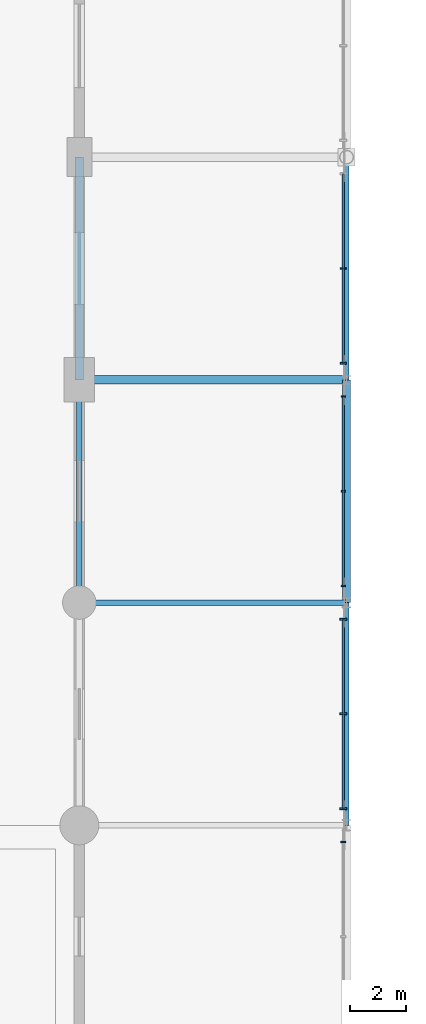
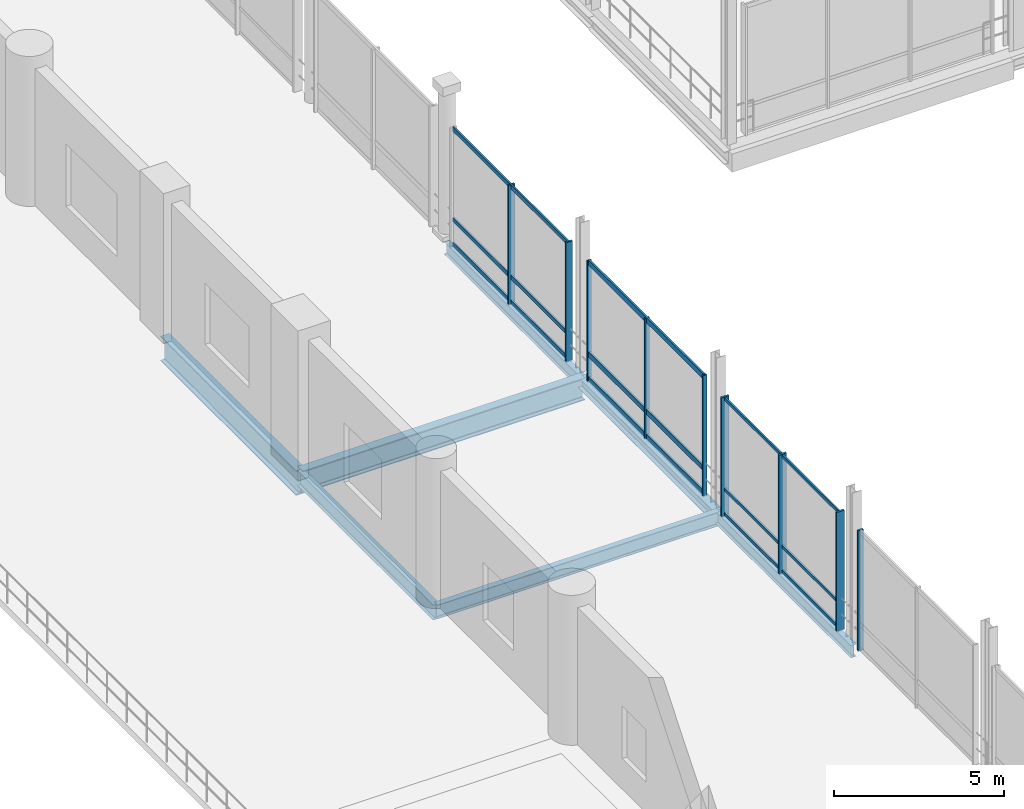
# One storey, part 49 of 129: 18 members, 7 beams, 4 elements without a shape of their own.
"""IFC4 building model written with IfcOpenShell, lengths in metres."""

import ifcopenshell
import ifcopenshell.guid

model = None  # the IFC model being written
_history = None  # IfcOwnerHistory: only IFC2X3 demands one
_inside = {}  # id of a spatial element -> (the spatial element, [elements in it])
_under = {}  # id of a project, library or spatial element -> (it, [spatial elements below it])
_declared = {}  # id of a project -> (the project, [libraries it declares])
_typed = {}  # id of a type object -> (the type object, [elements of that type])
_made_of = {}  # id of a material, layer set ... -> (it, [elements and type objects made of it])


def new_model(schema):
    """Start an empty IFC model of exactly this schema.

    Asked for "IFC4X3", IfcOpenShell would pick the latest addendum, in which some entities
    have other attributes; the version numbers below select the first issue.
    IFC2X3 requires an IfcOwnerHistory on every rooted entity: one is made here for all.
    """
    global model, _history
    if schema == "IFC4X3":
        model = ifcopenshell.file(schema_version=(4, 3, 0, 0))
    else:
        model = ifcopenshell.file(schema=schema)
    _inside.clear()
    _under.clear()
    _declared.clear()
    _typed.clear()
    _made_of.clear()
    _history = None
    if model.schema == "IFC2X3":
        org = make("IfcOrganization", Name="unknown")
        user = make(
            "IfcPersonAndOrganization",
            ThePerson=make("IfcPerson", FamilyName="unknown"),
            TheOrganization=org,
        )
        app = make(
            "IfcApplication",
            ApplicationDeveloper=org,
            Version="unknown",
            ApplicationFullName="unknown",
            ApplicationIdentifier="unknown",
        )
        _history = make(
            "IfcOwnerHistory",
            OwningUser=user,
            OwningApplication=app,
            ChangeAction="ADDED",
            CreationDate=0,
        )
    return model


def make(cls, **values):
    """One entity of the class cls with the attributes given. An attribute that is None is left unset."""
    return model.create_entity(
        cls, **{name: value for name, value in values.items() if value is not None}
    )


def rooted(cls, **values):
    """An entity with a GlobalId (a new one), such as an element, a storey or a relation."""
    return make(cls, GlobalId=ifcopenshell.guid.new(), OwnerHistory=_history, **values)


def si_unit(unit_type, name, prefix=None):
    """IfcSIUnit, for example si_unit("LENGTHUNIT", "METRE", prefix="MILLI")."""
    return make("IfcSIUnit", UnitType=unit_type, Prefix=prefix, Name=name)


def assignment(units):
    """IfcUnitAssignment: the units of a project."""
    return None if units is None else make("IfcUnitAssignment", Units=units)


def point(xyz):
    """IfcCartesianPoint."""
    return None if xyz is None else make("IfcCartesianPoint", Coordinates=xyz)


def direction(xyz):
    """IfcDirection."""
    return None if xyz is None else make("IfcDirection", DirectionRatios=xyz)


def frame(location, z_axis=None, x_axis=None):
    """IfcAxis2Placement3D, a coordinate frame: its origin and axes. An axis left out is left unset."""
    return make(
        "IfcAxis2Placement3D",
        Location=point(location),
        Axis=direction(z_axis),
        RefDirection=direction(x_axis),
    )


def frame_2d(location, x_axis=None):
    """IfcAxis2Placement2D, a coordinate frame in the plane: its origin and x axis."""
    return make(
        "IfcAxis2Placement2D", Location=point(location), RefDirection=direction(x_axis)
    )


def origin():
    """The frame at (0, 0, 0) with its axes left unset."""
    return frame((0.0, 0.0, 0.0))


def origin_2d():
    """The frame at (0, 0) in the plane with its x axis left unset."""
    return frame_2d((0.0, 0.0))


def place(relative_to, where):
    """IfcLocalPlacement: puts the frame where relative to a parent placement (None: the world)."""
    return make(
        "IfcLocalPlacement", PlacementRelTo=relative_to, RelativePlacement=where
    )


def context(
    kind, dimensions, precision=None, world=None, true_north=None, identifier=None
):
    """IfcGeometricRepresentationContext, for example the 3D "Model" context."""
    return make(
        "IfcGeometricRepresentationContext",
        ContextIdentifier=identifier,
        ContextType=kind,
        CoordinateSpaceDimension=dimensions,
        Precision=precision,
        WorldCoordinateSystem=world,
        TrueNorth=true_north,
    )


def subcontext(parent, identifier, kind, view, scale=None):
    """IfcGeometricRepresentationSubContext, for example "Body" below "Model"."""
    return make(
        "IfcGeometricRepresentationSubContext",
        ContextIdentifier=identifier,
        ContextType=kind,
        ParentContext=parent,
        TargetScale=scale,
        TargetView=view,
    )


def project(units=None, contexts=None):
    """IfcProject with its units and contexts."""
    return rooted(
        "IfcProject",
        Name="project",
        RepresentationContexts=contexts,
        UnitsInContext=assignment(units),
    )


def spatial(cls, under=None, at=None, **own):
    """A site, building, storey or space (cls), placed at a placement, below another one or the project."""
    s = rooted(cls, ObjectPlacement=at, **own)
    if under is not None:
        _under.setdefault(under.id(), (under, []))[1].append(s)
    return s


def profile(cls, at=None, kind="AREA", **sizes):
    """A parametric profile (cls). Its sizes go by their IFC names, for example OverallWidth=200.0."""
    return make(cls, ProfileType=kind, Position=at, **sizes)


def rectangle(**sizes):
    """IfcRectangleProfileDef."""
    return profile("IfcRectangleProfileDef", **sizes)


def i_section(**sizes):
    """IfcIShapeProfileDef."""
    return profile("IfcIShapeProfileDef", **sizes)


def extrude(swept, where, along, depth):
    """IfcExtrudedAreaSolid: the profile swept, set in the frame where, extruded along a direction by depth."""
    return make(
        "IfcExtrudedAreaSolid",
        SweptArea=swept,
        Position=where,
        ExtrudedDirection=direction(along),
        Depth=depth,
    )


def shape(context_of_items, identifier, shape_type, items):
    """IfcShapeRepresentation: the items that make up one representation, for example the "Body"."""
    return make(
        "IfcShapeRepresentation",
        ContextOfItems=context_of_items,
        RepresentationIdentifier=identifier,
        RepresentationType=shape_type,
        Items=items,
    )


def material(Name=None, Category=None):
    """IfcMaterial."""
    return make("IfcMaterial", Name=Name, Category=Category)


def material_profile(
    of_material, cross_section, Name=None, Category=None, Priority=None
):
    """IfcMaterialProfile: a cross section and its material."""
    return make(
        "IfcMaterialProfile",
        Name=Name,
        Material=of_material,
        Profile=cross_section,
        Priority=Priority,
        Category=Category,
    )


def profile_set(profiles, Name=None, composite=None):
    """IfcMaterialProfileSet."""
    return make(
        "IfcMaterialProfileSet",
        Name=Name,
        MaterialProfiles=profiles,
        CompositeProfile=composite,
    )


def made_of(thing, what):
    """Note that an element or type object is made of a material, layer set ...; save() writes the relation."""
    if what is not None:
        _made_of.setdefault(what.id(), (what, []))[1].append(thing)
    return thing


def type_object(cls, material=None, **own):
    """A type object (cls), such as IfcWallType, which elements share."""
    return made_of(rooted(cls, **own), material)


def element(
    cls,
    number,
    at=None,
    inside=None,
    cuts=None,
    type_object=None,
    material=None,
    context=None,
    identifier="Body",
    shape_type=None,
    held_by="IfcProductDefinitionShape",
    body=None,
    shapes=None,
    **own,
):
    """One element of the class cls, such as IfcWall. Its Tag is "e" and its number.

    at: its placement. inside: the storey or other place that contains it. cuts: it is an
    opening in that element (IfcRelVoidsElement). A single representation is given by context,
    identifier, shape_type and body (its items); several are given by shapes. held_by: the class
    of the entity that holds the representations. save() writes the other relations.
    """
    e = rooted(cls, Tag="e%d" % number, ObjectPlacement=at, **own)
    if body is not None:
        shapes = [shape(context, identifier, shape_type, body)]
    if shapes is not None:
        e.Representation = make(held_by, Representations=shapes)
    if inside is not None:
        _inside.setdefault(inside.id(), (inside, []))[1].append(e)
    if cuts is not None:
        rooted(
            "IfcRelVoidsElement", RelatingBuildingElement=cuts, RelatedOpeningElement=e
        )
    if type_object is not None:
        _typed.setdefault(type_object.id(), (type_object, []))[1].append(e)
    return made_of(e, material)


def aggregate(whole, parts):
    """IfcRelAggregates: a whole, such as a stair, and the parts it consists of."""
    return rooted("IfcRelAggregates", RelatingObject=whole, RelatedObjects=parts)


def save(model, path):
    """Write the relations noted so far, then the file.

    IfcRelAggregates (storeys below a building ...), IfcRelContainedInSpatialStructure (elements
    in a storey), IfcRelDefinesByType, IfcRelAssociatesMaterial and IfcRelDeclares: one each for
    every whole, place, type object, material and project.
    """
    for whole, parts in _under.values():
        aggregate(whole, parts)
    for where, things in _inside.values():
        rooted(
            "IfcRelContainedInSpatialStructure",
            RelatedElements=things,
            RelatingStructure=where,
        )
    for kind, things in _typed.values():
        rooted("IfcRelDefinesByType", RelatedObjects=things, RelatingType=kind)
    for what, things in _made_of.values():
        rooted("IfcRelAssociatesMaterial", RelatedObjects=things, RelatingMaterial=what)
    for by, libraries in _declared.values():
        rooted("IfcRelDeclares", RelatingContext=by, RelatedDefinitions=libraries)
    model.write(path)


model = new_model("IFC4")

# Units and contexts
model_context = context("Model", 3, precision=1e-05, world=origin(), true_north=direction((0.0, 1.0)))
body_context = subcontext(model_context, "Body", "Model", "MODEL_VIEW")
ifc_project = project(units=[si_unit("LENGTHUNIT", "METRE"), si_unit("AREAUNIT", "SQUARE_METRE"), si_unit("VOLUMEUNIT", "CUBIC_METRE"), si_unit("PLANEANGLEUNIT", "RADIAN"), si_unit("MASSUNIT", "GRAM", prefix="KILO")], contexts=[model_context])

# Site, building, storey
site_placement = place(None, origin())
site = spatial("IfcSite", under=ifc_project, at=site_placement, CompositionType="ELEMENT")
building_placement = place(site_placement, origin())
building = spatial("IfcBuilding", under=site, at=building_placement, Name="Danafjord Basin Convention Centre", CompositionType="ELEMENT")
storey_placement = place(building_placement, frame((0.0, 0.0, 6.0)))
storey = spatial("IfcBuildingStorey", under=building, at=storey_placement, Name="L01", CompositionType="ELEMENT", Elevation=6.0)

# Beams
ifc_material_1 = material(Name="Steel S355", Category="steel")
ifc_material_profile_1 = material_profile(ifc_material_1, i_section(OverallWidth=0.300048828125, OverallDepth=0.800048828125, WebThickness=0.017578125, FlangeThickness=0.032958984375, FilletRadius=0.030029296875, at=origin_2d()), Name="HEB 800")
ifc_profile_set_1 = profile_set([ifc_material_profile_1], Name="Steel S355")
beam_type_1 = type_object("IfcBeamType", Name="BEAM-BM-HEB800", PredefinedType="BEAM", material=ifc_profile_set_1)
beam_1_placement = place(storey_placement, frame((115.199951171875, 80.0, -0.6298828125), z_axis=(1.0, 0.0, 0.0), x_axis=(0.0, 1.0, 0.0)))
element("IfcBeam", 1, at=beam_1_placement, inside=storey, type_object=beam_type_1, Name="L01 girder BM-HEB800", PredefinedType="BEAM", context=body_context, shape_type="SweptSolid", body=[
    extrude(i_section(OverallWidth=0.300048828125, OverallDepth=0.800048828125, WebThickness=0.017578125, FlangeThickness=0.032958984375, FilletRadius=0.030029296875, at=origin_2d()), origin(), (0.0, 0.0, 1.0), 9.60009765625),
])
ifc_material_profile_2 = material_profile(ifc_material_1, i_section(OverallWidth=0.300048828125, OverallDepth=0.89990234375, WebThickness=0.0185546875, FlangeThickness=0.034912109375, FilletRadius=0.030029296875, at=origin_2d()), Name="HEB 900")
ifc_profile_set_2 = profile_set([ifc_material_profile_2], Name="Steel S355")
beam_type_2 = type_object("IfcBeamType", Name="BEAM-BM-HEB900", PredefinedType="BEAM", material=ifc_profile_set_2)
beam_2_placement = place(storey_placement, frame((115.199951171875, 80.0, -0.699951171875), z_axis=(0.0, 1.0, 0.0), x_axis=(-1.0, 0.0, 0.0)))
element("IfcBeam", 2, at=beam_2_placement, inside=storey, type_object=beam_type_2, Name="L01 transverse girder BM-HEB900", PredefinedType="BEAM", context=body_context, shape_type="SweptSolid", body=[
    extrude(i_section(OverallWidth=0.300048828125, OverallDepth=0.89990234375, WebThickness=0.0185546875, FlangeThickness=0.034912109375, FilletRadius=0.030029296875, at=origin_2d()), origin(), (0.0, 0.0, 1.0), 8.0),
])
ifc_material_profile_3 = material_profile(ifc_material_1, i_section(OverallWidth=0.199951171875, OverallDepth=0.5, WebThickness=0.01025390625, FlangeThickness=0.01611328125, FilletRadius=0.02099609375, at=origin_2d()), Name="IPE 500")
ifc_profile_set_3 = profile_set([ifc_material_profile_3], Name="Steel S355")
beam_type_3 = type_object("IfcBeamType", Name="BEAM-BM-IPE500", PredefinedType="BEAM", material=ifc_profile_set_3)
beam_3_placement = place(storey_placement, frame((115.199951171875, 72.0, -0.47998046875), z_axis=(1.0, 0.0, 0.0), x_axis=(0.0, 1.0, 0.0)))
element("IfcBeam", 3, at=beam_3_placement, inside=storey, type_object=beam_type_3, Name="L01 girder BM-IPE500", PredefinedType="BEAM", context=body_context, shape_type="SweptSolid", body=[
    extrude(i_section(OverallWidth=0.199951171875, OverallDepth=0.5, WebThickness=0.01025390625, FlangeThickness=0.01611328125, FilletRadius=0.02099609375, at=origin_2d()), origin(), (0.0, 0.0, 1.0), 9.60009765625),
])
ifc_material_profile_4 = material_profile(ifc_material_1, i_section(OverallWidth=0.2099609375, OverallDepth=0.550048828125, WebThickness=0.010986328125, FlangeThickness=0.01708984375, FilletRadius=0.02392578125, at=origin_2d()), Name="IPE 550")
ifc_profile_set_4 = profile_set([ifc_material_profile_4], Name="Steel S355")
beam_type_4 = type_object("IfcBeamType", Name="BEAM-BM-IPE550", PredefinedType="BEAM", material=ifc_profile_set_4)
beam_4_placement = place(storey_placement, frame((115.199951171875, 72.0, -0.52490234375), z_axis=(0.0, 1.0, 0.0), x_axis=(-1.0, 0.0, 0.0)))
element("IfcBeam", 4, at=beam_4_placement, inside=storey, type_object=beam_type_4, Name="L01 transverse girder BM-IPE550", PredefinedType="BEAM", context=body_context, shape_type="SweptSolid", body=[
    extrude(i_section(OverallWidth=0.2099609375, OverallDepth=0.550048828125, WebThickness=0.010986328125, FlangeThickness=0.01708984375, FilletRadius=0.02392578125, at=origin_2d()), origin(), (0.0, 0.0, 1.0), 8.0),
])
ifc_material_profile_5 = material_profile(ifc_material_1, i_section(OverallWidth=0.300048828125, OverallDepth=0.39990234375, WebThickness=0.013427734375, FlangeThickness=0.02392578125, FilletRadius=0.027099609375, at=origin_2d()), Name="HEB 400")
ifc_profile_set_5 = profile_set([ifc_material_profile_5], Name="Steel S355")
beam_type_5 = type_object("IfcBeamType", Name="BEAM-SP-HEB400", PredefinedType="SPANDREL", material=ifc_profile_set_5)
beam_5_placement = place(storey_placement, frame((124.800048828125, 72.0, -0.429931640625), z_axis=(0.0, 1.0, 0.0), x_axis=(-1.0, 0.0, 0.0)))
element("IfcBeam", 5, at=beam_5_placement, inside=storey, type_object=beam_type_5, Name="L01 transverse girder SP-HEB400", PredefinedType="SPANDREL", context=body_context, shape_type="SweptSolid", body=[
    extrude(i_section(OverallWidth=0.300048828125, OverallDepth=0.39990234375, WebThickness=0.013427734375, FlangeThickness=0.02392578125, FilletRadius=0.027099609375, at=origin_2d()), origin(), (0.0, 0.0, 1.0), 8.0),
])
ifc_material_profile_6 = material_profile(ifc_material_1, i_section(OverallWidth=0.18994140625, OverallDepth=0.449951171875, WebThickness=0.009521484375, FlangeThickness=0.0146484375, FilletRadius=0.02099609375, at=origin_2d()), Name="IPE 450")
ifc_profile_set_6 = profile_set([ifc_material_profile_6], Name="Steel S355")
beam_type_6 = type_object("IfcBeamType", Name="BEAM-SP-IPE450", PredefinedType="SPANDREL", material=ifc_profile_set_6)
for number, where, z_axis, x_axis, name in (
    (6, (124.800048828125, 64.0, -0.455078125), (0.0, 1.0, 0.0), (-1.0, 0.0, 0.0), "L01 transverse girder SP-IPE450"),
    (7, (124.800048828125, 80.0, -0.455078125), (0.0, 1.0, 0.0), (-1.0, 0.0, 0.0), "L01 transverse girder SP-IPE450"),
):
    element("IfcBeam", number, at=place(storey_placement, frame(where, z_axis=z_axis, x_axis=x_axis)), inside=storey, type_object=beam_type_6, Name=name, PredefinedType="SPANDREL", context=body_context, shape_type="SweptSolid", body=[
        extrude(i_section(OverallWidth=0.18994140625, OverallDepth=0.449951171875, WebThickness=0.009521484375, FlangeThickness=0.0146484375, FilletRadius=0.02099609375, at=origin_2d()), origin(), (0.0, 0.0, 1.0), 8.0),
    ])

# Curtain wall, members
ifc_material_2 = material(Name="Anodised aluminium and triple glazing", Category="aluminium")
curtain_wall_type = type_object("IfcCurtainWallType", Name="CW-CW-BRIDGE", PredefinedType="NOTDEFINED", material=ifc_material_2)
curtain_wall_1_placement = place(storey_placement, origin())
curtain_wall_1 = element("IfcCurtainWall", 8, at=curtain_wall_1_placement, inside=storey, type_object=curtain_wall_type, Name="L01 CW-BRIDGE unitised curtain wall bay 170", PredefinedType="NOTDEFINED")
ifc_material_3 = material(Name="Anodised aluminium EN AW-6060", Category="aluminium")
ifc_material_profile_7 = material_profile(ifc_material_3, rectangle(XDim=0.06005859375, YDim=0.139892578125, at=origin_2d()), Name="MULL 60x140")
ifc_profile_set_7 = profile_set([ifc_material_profile_7], Name="Anodised aluminium EN AW-6060")
member_type_1 = type_object("IfcMemberType", Name="MEM-ML-140", PredefinedType="MULLION", material=ifc_profile_set_7)
member_1_placement = place(storey_placement, frame((124.679931640625, 72.60009765625, -0.02490234375), z_axis=(0.0, 0.0, 1.0), x_axis=(0.0, 1.0, 0.0)))
member_1 = element("IfcMember", 9, at=member_1_placement, type_object=member_type_1, Name="CW-L01-170 mullion 1", PredefinedType="MULLION", context=body_context, shape_type="SweptSolid", body=[
    extrude(rectangle(XDim=0.06005859375, YDim=0.139892578125, at=origin_2d()), origin(), (0.0, 0.0, 1.0), 4.349853515625),
])
member_2_placement = place(storey_placement, frame((124.679931640625, 76.0, -0.02490234375), z_axis=(0.0, 0.0, 1.0), x_axis=(0.0, 1.0, 0.0)))
member_2 = element("IfcMember", 10, at=member_2_placement, type_object=member_type_1, Name="CW-L01-170 mullion 2", PredefinedType="MULLION", context=body_context, shape_type="SweptSolid", body=[
    extrude(rectangle(XDim=0.06005859375, YDim=0.139892578125, at=origin_2d()), origin(), (0.0, 0.0, 1.0), 4.349853515625),
])
member_3_placement = place(storey_placement, frame((124.679931640625, 79.39990234375, -0.02490234375), z_axis=(0.0, 0.0, 1.0), x_axis=(0.0, 1.0, 0.0)))
member_3 = element("IfcMember", 11, at=member_3_placement, type_object=member_type_1, Name="CW-L01-170 mullion 3", PredefinedType="MULLION", context=body_context, shape_type="SweptSolid", body=[
    extrude(rectangle(XDim=0.06005859375, YDim=0.139892578125, at=origin_2d()), origin(), (0.0, 0.0, 1.0), 4.349853515625),
])

# Curtain wall, member
curtain_wall_2_placement = place(storey_placement, origin())
curtain_wall_2 = element("IfcCurtainWall", 12, at=curtain_wall_2_placement, inside=storey, type_object=curtain_wall_type, Name="L01 CW-BRIDGE unitised curtain wall bay 166", PredefinedType="NOTDEFINED")
ifc_material_profile_8 = material_profile(ifc_material_3, rectangle(XDim=0.06005859375, YDim=0.179931640625, at=origin_2d()), Name="MULL 60x180")
ifc_profile_set_8 = profile_set([ifc_material_profile_8], Name="Anodised aluminium EN AW-6060")
member_type_2 = type_object("IfcMemberType", Name="MEM-ML-180", PredefinedType="MULLION", material=ifc_profile_set_8)
member_4_placement = place(storey_placement, frame((124.679931640625, 63.39990234375, -0.02490234375), z_axis=(0.0, 0.0, 1.0), x_axis=(0.0, 1.0, 0.0)))
member_4 = element("IfcMember", 13, at=member_4_placement, type_object=member_type_2, Name="CW-L01-166 mullion 3", PredefinedType="MULLION", context=body_context, shape_type="SweptSolid", body=[
    extrude(rectangle(XDim=0.06005859375, YDim=0.179931640625, at=origin_2d()), origin(), (0.0, 0.0, 1.0), 4.349853515625),
])
aggregate(curtain_wall_2, [member_4])

# Curtain wall, members
curtain_wall_3_placement = place(storey_placement, origin())
curtain_wall_3 = element("IfcCurtainWall", 14, at=curtain_wall_3_placement, inside=storey, type_object=curtain_wall_type, Name="L01 CW-BRIDGE unitised curtain wall bay 172", PredefinedType="NOTDEFINED")
ifc_material_profile_9 = material_profile(ifc_material_3, rectangle(XDim=0.06494140625, YDim=0.219970703125, at=origin_2d()), Name="MULL 65x220")
ifc_profile_set_9 = profile_set([ifc_material_profile_9], Name="Anodised aluminium EN AW-6060")
member_type_3 = type_object("IfcMemberType", Name="MEM-ML-220", PredefinedType="MULLION", material=ifc_profile_set_9)
member_5_placement = place(storey_placement, frame((124.679931640625, 80.60009765625, -0.02490234375), z_axis=(0.0, 0.0, 1.0), x_axis=(0.0, 1.0, 0.0)))
member_5 = element("IfcMember", 15, at=member_5_placement, type_object=member_type_3, Name="CW-L01-172 mullion 1", PredefinedType="MULLION", context=body_context, shape_type="SweptSolid", body=[
    extrude(rectangle(XDim=0.06494140625, YDim=0.219970703125, at=origin_2d()), origin(), (0.0, 0.0, 1.0), 4.2998046875),
])
member_6_placement = place(storey_placement, frame((124.679931640625, 84.0, -0.02490234375), z_axis=(0.0, 0.0, 1.0), x_axis=(0.0, 1.0, 0.0)))
member_6 = element("IfcMember", 16, at=member_6_placement, type_object=member_type_3, Name="CW-L01-172 mullion 2", PredefinedType="MULLION", context=body_context, shape_type="SweptSolid", body=[
    extrude(rectangle(XDim=0.06494140625, YDim=0.219970703125, at=origin_2d()), origin(), (0.0, 0.0, 1.0), 4.2998046875),
])

curtain_wall_4_placement = place(storey_placement, origin())
curtain_wall_4 = element("IfcCurtainWall", 17, at=curtain_wall_4_placement, inside=storey, type_object=curtain_wall_type, Name="L01 CW-BRIDGE unitised curtain wall bay 168", PredefinedType="NOTDEFINED")
ifc_material_profile_10 = material_profile(ifc_material_3, rectangle(XDim=0.070068359375, YDim=0.260009765625, at=origin_2d()), Name="MULL 70x260")
ifc_profile_set_10 = profile_set([ifc_material_profile_10], Name="Anodised aluminium EN AW-6060")
member_type_4 = type_object("IfcMemberType", Name="MEM-ML-260", PredefinedType="MULLION", material=ifc_profile_set_10)
member_7_placement = place(storey_placement, frame((124.679931640625, 64.60009765625, -0.02490234375), z_axis=(0.0, 0.0, 1.0), x_axis=(0.0, 1.0, 0.0)))
member_7 = element("IfcMember", 18, at=member_7_placement, type_object=member_type_4, Name="CW-L01-168 mullion 1", PredefinedType="MULLION", context=body_context, shape_type="SweptSolid", body=[
    extrude(rectangle(XDim=0.070068359375, YDim=0.260009765625, at=origin_2d()), origin(), (0.0, 0.0, 1.0), 4.2998046875),
])
member_8_placement = place(storey_placement, frame((124.679931640625, 68.0, -0.02490234375), z_axis=(0.0, 0.0, 1.0), x_axis=(0.0, 1.0, 0.0)))
member_8 = element("IfcMember", 19, at=member_8_placement, type_object=member_type_4, Name="CW-L01-168 mullion 2", PredefinedType="MULLION", context=body_context, shape_type="SweptSolid", body=[
    extrude(rectangle(XDim=0.070068359375, YDim=0.260009765625, at=origin_2d()), origin(), (0.0, 0.0, 1.0), 4.2998046875),
])
member_9_placement = place(storey_placement, frame((124.679931640625, 71.39990234375, -0.02490234375), z_axis=(0.0, 0.0, 1.0), x_axis=(0.0, 1.0, 0.0)))
member_9 = element("IfcMember", 20, at=member_9_placement, type_object=member_type_4, Name="CW-L01-168 mullion 3", PredefinedType="MULLION", context=body_context, shape_type="SweptSolid", body=[
    extrude(rectangle(XDim=0.070068359375, YDim=0.260009765625, at=origin_2d()), origin(), (0.0, 0.0, 1.0), 4.2998046875),
])
ifc_material_profile_11 = material_profile(ifc_material_3, rectangle(XDim=0.06005859375, YDim=0.110107421875, at=origin_2d()), Name="TRAN 60x110")
ifc_profile_set_11 = profile_set([ifc_material_profile_11], Name="Anodised aluminium EN AW-6060")
member_type_5 = type_object("IfcMemberType", Name="MEM-TR-110", PredefinedType="USERDEFINED", material=ifc_profile_set_11)
member_10_placement = place(storey_placement, frame((124.679931640625, 64.60009765625, 0.06005859375), z_axis=(0.0, 1.0, 0.0), x_axis=(-1.0, 0.0, 0.0)))
member_10 = element("IfcMember", 21, at=member_10_placement, type_object=member_type_5, Name="CW-L01-168 transom 1", ObjectType="TRANSOM", PredefinedType="USERDEFINED", context=body_context, shape_type="SweptSolid", body=[
    extrude(rectangle(XDim=0.06005859375, YDim=0.110107421875, at=origin_2d()), origin(), (0.0, 0.0, 1.0), 6.7998046875),
])
member_11_placement = place(storey_placement, frame((124.679931640625, 64.60009765625, 0.949951171875), z_axis=(0.0, 1.0, 0.0), x_axis=(-1.0, 0.0, 0.0)))
member_11 = element("IfcMember", 22, at=member_11_placement, type_object=member_type_5, Name="CW-L01-168 transom 2", ObjectType="TRANSOM", PredefinedType="USERDEFINED", context=body_context, shape_type="SweptSolid", body=[
    extrude(rectangle(XDim=0.06005859375, YDim=0.110107421875, at=origin_2d()), origin(), (0.0, 0.0, 1.0), 6.7998046875),
])
member_12_placement = place(storey_placement, frame((124.679931640625, 64.60009765625, 4.205078125), z_axis=(0.0, 1.0, 0.0), x_axis=(-1.0, 0.0, 0.0)))
member_12 = element("IfcMember", 23, at=member_12_placement, type_object=member_type_5, Name="CW-L01-168 transom 3", ObjectType="TRANSOM", PredefinedType="USERDEFINED", context=body_context, shape_type="SweptSolid", body=[
    extrude(rectangle(XDim=0.06005859375, YDim=0.110107421875, at=origin_2d()), origin(), (0.0, 0.0, 1.0), 6.7998046875),
])
aggregate(curtain_wall_4, [member_7, member_8, member_9, member_10, member_11, member_12])

# Member
ifc_material_profile_12 = material_profile(ifc_material_3, rectangle(XDim=0.06005859375, YDim=0.14990234375, at=origin_2d()), Name="TRAN 60x150")
ifc_profile_set_12 = profile_set([ifc_material_profile_12], Name="Anodised aluminium EN AW-6060")
member_type_6 = type_object("IfcMemberType", Name="MEM-TR-150", PredefinedType="USERDEFINED", material=ifc_profile_set_12)
member_13_placement = place(storey_placement, frame((124.679931640625, 80.60009765625, 0.06005859375), z_axis=(0.0, 1.0, 0.0), x_axis=(-1.0, 0.0, 0.0)))
member_13 = element("IfcMember", 24, at=member_13_placement, type_object=member_type_6, Name="CW-L01-172 transom 1", ObjectType="TRANSOM", PredefinedType="USERDEFINED", context=body_context, shape_type="SweptSolid", body=[
    extrude(rectangle(XDim=0.06005859375, YDim=0.14990234375, at=origin_2d()), origin(), (0.0, 0.0, 1.0), 6.7998046875),
])

member_14_placement = place(storey_placement, frame((124.679931640625, 80.60009765625, 0.949951171875), z_axis=(0.0, 1.0, 0.0), x_axis=(-1.0, 0.0, 0.0)))
member_14 = element("IfcMember", 25, at=member_14_placement, type_object=member_type_6, Name="CW-L01-172 transom 2", ObjectType="TRANSOM", PredefinedType="USERDEFINED", context=body_context, shape_type="SweptSolid", body=[
    extrude(rectangle(XDim=0.06005859375, YDim=0.14990234375, at=origin_2d()), origin(), (0.0, 0.0, 1.0), 6.7998046875),
])

member_15_placement = place(storey_placement, frame((124.679931640625, 80.60009765625, 4.205078125), z_axis=(0.0, 1.0, 0.0), x_axis=(-1.0, 0.0, 0.0)))
member_15 = element("IfcMember", 26, at=member_15_placement, type_object=member_type_6, Name="CW-L01-172 transom 3", ObjectType="TRANSOM", PredefinedType="USERDEFINED", context=body_context, shape_type="SweptSolid", body=[
    extrude(rectangle(XDim=0.06005859375, YDim=0.14990234375, at=origin_2d()), origin(), (0.0, 0.0, 1.0), 6.7998046875),
])

aggregate(curtain_wall_3, [member_5, member_6, member_13, member_14, member_15])

ifc_material_profile_13 = material_profile(ifc_material_3, rectangle(XDim=0.06494140625, YDim=0.18994140625, at=origin_2d()), Name="TRAN 65x190")
ifc_profile_set_13 = profile_set([ifc_material_profile_13], Name="Anodised aluminium EN AW-6060")
member_type_7 = type_object("IfcMemberType", Name="MEM-TR-190", PredefinedType="USERDEFINED", material=ifc_profile_set_13)
member_16_placement = place(storey_placement, frame((124.679931640625, 72.60009765625, 0.06005859375), z_axis=(0.0, 1.0, 0.0), x_axis=(-1.0, 0.0, 0.0)))
member_16 = element("IfcMember", 27, at=member_16_placement, type_object=member_type_7, Name="CW-L01-170 transom 1", ObjectType="TRANSOM", PredefinedType="USERDEFINED", context=body_context, shape_type="SweptSolid", body=[
    extrude(rectangle(XDim=0.06494140625, YDim=0.18994140625, at=origin_2d()), origin(), (0.0, 0.0, 1.0), 6.7998046875),
])

member_17_placement = place(storey_placement, frame((124.679931640625, 72.60009765625, 0.949951171875), z_axis=(0.0, 1.0, 0.0), x_axis=(-1.0, 0.0, 0.0)))
member_17 = element("IfcMember", 28, at=member_17_placement, type_object=member_type_7, Name="CW-L01-170 transom 2", ObjectType="TRANSOM", PredefinedType="USERDEFINED", context=body_context, shape_type="SweptSolid", body=[
    extrude(rectangle(XDim=0.06494140625, YDim=0.18994140625, at=origin_2d()), origin(), (0.0, 0.0, 1.0), 6.7998046875),
])

member_18_placement = place(storey_placement, frame((124.679931640625, 72.60009765625, 4.2548828125), z_axis=(0.0, 1.0, 0.0), x_axis=(-1.0, 0.0, 0.0)))
member_18 = element("IfcMember", 29, at=member_18_placement, type_object=member_type_7, Name="CW-L01-170 transom 3", ObjectType="TRANSOM", PredefinedType="USERDEFINED", context=body_context, shape_type="SweptSolid", body=[
    extrude(rectangle(XDim=0.06494140625, YDim=0.18994140625, at=origin_2d()), origin(), (0.0, 0.0, 1.0), 6.7998046875),
])

aggregate(curtain_wall_1, [member_1, member_2, member_3, member_16, member_17, member_18])

save(model, "model.ifc")
